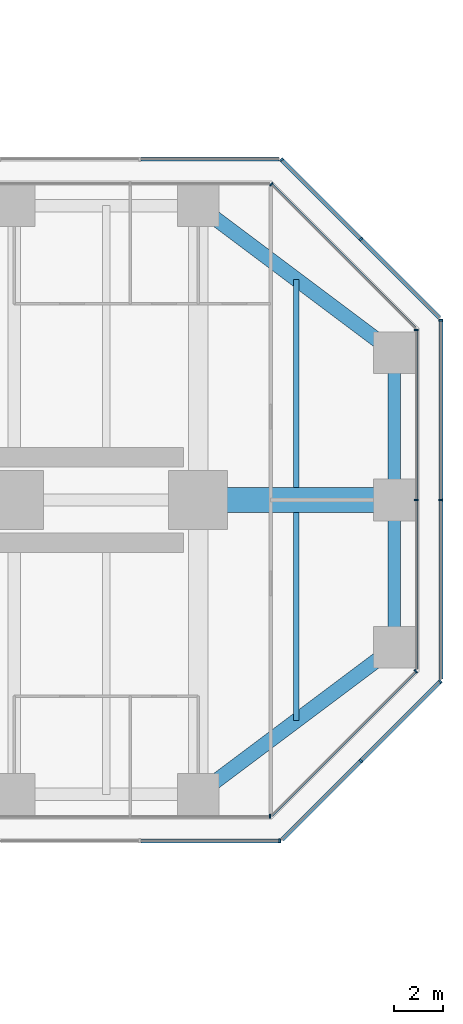
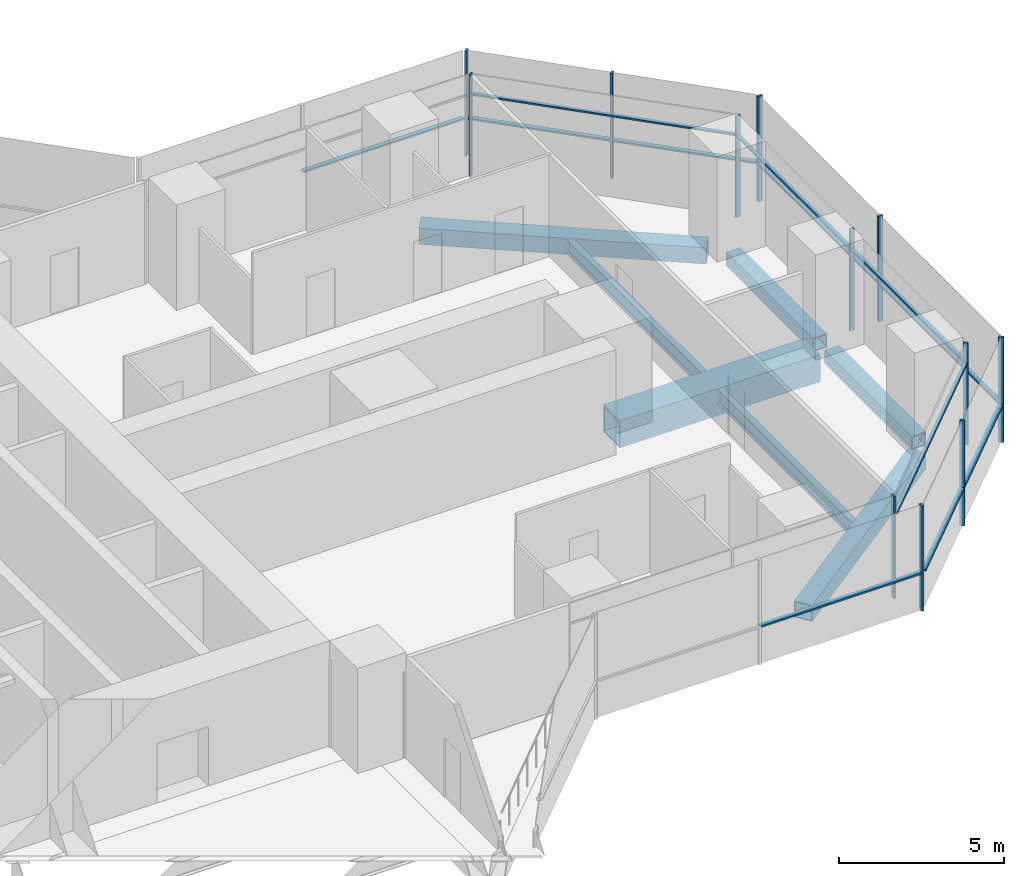
# One storey, part 11 of 20: 24 members, 7 beams, 9 elements without a shape of their own.
"""IFC4 building model written with IfcOpenShell, lengths in metres."""

from ifc_helpers import new_model, si_unit, direction, frame, origin, origin_2d, place, context, subcontext, project, spatial, rectangle, hollow_rectangle, i_section, extrude, material, material_profile, profile_set, type_object, element, aggregate, save


model = new_model("IFC4")

# Units and contexts
model_context = context("Model", 3, precision=1e-05, world=origin(), true_north=direction((0.0, 1.0)))
body_context = subcontext(model_context, "Body", "Model", "MODEL_VIEW")
ifc_project = project(units=[si_unit("LENGTHUNIT", "METRE"), si_unit("AREAUNIT", "SQUARE_METRE"), si_unit("VOLUMEUNIT", "CUBIC_METRE"), si_unit("PLANEANGLEUNIT", "RADIAN"), si_unit("MASSUNIT", "GRAM", prefix="KILO")], contexts=[model_context])

# Site, building, storey
site_placement = place(None, origin())
site = spatial("IfcSite", under=ifc_project, at=site_placement, CompositionType="ELEMENT")
building_placement = place(site_placement, origin())
building = spatial("IfcBuilding", under=site, at=building_placement, Name="Mizan Broadcast Tower", CompositionType="ELEMENT")
storey_placement = place(building_placement, frame((0.0, 0.0, 151.5)))
storey = spatial("IfcBuildingStorey", under=building, at=storey_placement, Name="L34", CompositionType="ELEMENT", Elevation=151.5)

# Beams
ifc_material_1 = material(Name="Steel S355", Category="steel")
ifc_material_profile_1 = material_profile(ifc_material_1, hollow_rectangle(XDim=0.5, YDim=0.5, WallThickness=0.030029296875, at=origin_2d()), Name="BOX 500x500x30")
ifc_profile_set_1 = profile_set([ifc_material_profile_1], Name="Steel S355")
beam_type_1 = type_object("IfcBeamType", Name="EDGE BEAM BOX 500x500x30", PredefinedType="SPANDREL", material=ifc_profile_set_1)
for number, where, z_axis, x_axis, name in (
    (1, (35.0, -5.639892578125, -0.3798828125), (0.0, 1.0, 0.0), (-1.0, 0.0, 0.0), "Edge beam BOX 500x500x30 L34 east arm"),
    (2, (35.0, 5.639892578125, -0.3798828125), (0.0, -1.0, 0.0), (1.0, 0.0, 0.0), "Edge beam BOX 500x500x30 L34 east arm"),
):
    element("IfcBeam", number, at=place(storey_placement, frame(where, z_axis=z_axis, x_axis=x_axis)), inside=storey, type_object=beam_type_1, Name=name, PredefinedType="SPANDREL", context=body_context, shape_type="SweptSolid", body=[
        extrude(hollow_rectangle(XDim=0.5, YDim=0.5, WallThickness=0.030029296875, at=origin_2d()), origin(), (0.0, 0.0, 1.0), 5.27978515625),
    ])
ifc_material_2 = material(Name="Steel S355", Category="steel")
ifc_material_profile_2 = material_profile(ifc_material_2, hollow_rectangle(XDim=0.60009765625, YDim=0.60009765625, WallThickness=0.030029296875, at=origin_2d()), Name="BOX 600x600x30")
ifc_profile_set_2 = profile_set([ifc_material_profile_2], Name="Steel S355")
beam_type_2 = type_object("IfcBeamType", Name="EDGE BEAM BOX 600x600x30", PredefinedType="SPANDREL", material=ifc_profile_set_2)
for number, where, z_axis, x_axis, name in (
    (3, (27.47998046875, -11.639892578125, -0.429931640625), (0.800013316712, 0.599982243973, 0.0), (-0.599982243973, 0.800013316712, 0.0), "Edge beam BOX 600x600x30 L34 east arm"),
    (4, (27.47998046875, 11.639892578125, -0.429931640625), (0.800013316712, -0.599982243973, 0.0), (0.599982243973, 0.800013316712, 0.0), "Edge beam BOX 600x600x30 L34 east arm"),
):
    element("IfcBeam", number, at=place(storey_placement, frame(where, z_axis=z_axis, x_axis=x_axis)), inside=storey, type_object=beam_type_2, Name=name, PredefinedType="SPANDREL", context=body_context, shape_type="SweptSolid", body=[
        extrude(hollow_rectangle(XDim=0.60009765625, YDim=0.60009765625, WallThickness=0.030029296875, at=origin_2d()), origin(), (0.0, 0.0, 1.0), 8.7998046875),
    ])
ifc_material_3 = material(Name="Steel S460", Category="steel")
ifc_material_profile_3 = material_profile(ifc_material_3, hollow_rectangle(XDim=1.0, YDim=1.0, WallThickness=0.06005859375, at=origin_2d()), Name="BOX 1000x1000x60")
ifc_profile_set_3 = profile_set([ifc_material_profile_3], Name="Steel S460")
beam_type_3 = type_object("IfcBeamType", Name="GIRDER BOX 1000x1000x60", PredefinedType="BEAM", material=ifc_profile_set_3)
beam_placement = place(storey_placement, frame((27.47998046875, 0.0, -0.6298828125), z_axis=(1.0, 0.0, 0.0), x_axis=(0.0, 1.0, 0.0)))
element("IfcBeam", 5, at=beam_placement, inside=storey, type_object=beam_type_3, Name="Girder BOX 1000x1000x60 L34 east arm", PredefinedType="BEAM", context=body_context, shape_type="SweptSolid", body=[
    extrude(hollow_rectangle(XDim=1.0, YDim=1.0, WallThickness=0.06005859375, at=origin_2d()), origin(), (0.0, 0.0, 1.0), 7.0400390625),
])

# Curtain wall, member
ifc_material_4 = material(Name="Aluminium framed glazing", Category="aluminium")
curtain_wall_type_1 = type_object("IfcCurtainWallType", Name="INNER SKIN MID ZONE", PredefinedType="USERDEFINED", material=ifc_material_4)
curtain_wall_1_placement = place(storey_placement, origin())
curtain_wall_1 = element("IfcCurtainWall", 6, at=curtain_wall_1_placement, inside=storey, type_object=curtain_wall_type_1, Name="Inner skin mid zone L34 E side", ObjectType="INNER SKIN MID ZONE", PredefinedType="USERDEFINED")
ifc_material_5 = material(Name="Aluminium, pale anodised", Category="aluminium")
ifc_material_profile_4 = material_profile(ifc_material_5, rectangle(XDim=0.159912109375, YDim=0.06005859375, at=origin_2d()), Name="MULLION 160x60")
ifc_profile_set_4 = profile_set([ifc_material_profile_4], Name="Aluminium, pale anodised")
member_type_1 = type_object("IfcMemberType", Name="INNER SKIN MULLION 60x160", PredefinedType="MULLION", material=ifc_profile_set_4)
member_1_placement = place(storey_placement, frame((29.928466796875, -12.89990234375, 0.0), z_axis=(0.0, 0.0, 1.0), x_axis=(0.0, 1.0, 0.0)))
member_1 = element("IfcMember", 7, at=member_1_placement, type_object=member_type_1, Name="Inner skin mid zone L34 E side mullion 3", PredefinedType="MULLION", context=body_context, shape_type="SweptSolid", body=[
    extrude(rectangle(XDim=0.159912109375, YDim=0.06005859375, at=origin_2d()), origin(), (0.0, 0.0, 1.0), 3.77001953125),
])
aggregate(curtain_wall_1, [member_1])

curtain_wall_2_placement = place(storey_placement, origin())
curtain_wall_2 = element("IfcCurtainWall", 8, at=curtain_wall_2_placement, inside=storey, type_object=curtain_wall_type_1, Name="Inner skin mid zone L34 E chamfer", ObjectType="INNER SKIN MID ZONE", PredefinedType="USERDEFINED")
member_2_placement = place(storey_placement, frame((35.87890625, -6.979736328125, 0.0), z_axis=(0.0, 0.0, 1.0), x_axis=(-0.707106781187, 0.707106781187, 0.0)))
member_2 = element("IfcMember", 9, at=member_2_placement, type_object=member_type_1, Name="Inner skin mid zone L34 E chamfer mullion 2", PredefinedType="MULLION", context=body_context, shape_type="SweptSolid", body=[
    extrude(rectangle(XDim=0.159912109375, YDim=0.06005859375, at=origin_2d()), origin(), (0.0, 0.0, 1.0), 3.77001953125),
])

# Curtain wall, members
curtain_wall_3_placement = place(storey_placement, origin())
curtain_wall_3 = element("IfcCurtainWall", 10, at=curtain_wall_3_placement, inside=storey, type_object=curtain_wall_type_1, Name="Inner skin mid zone L34 E end", ObjectType="INNER SKIN MID ZONE", PredefinedType="USERDEFINED")
member_3_placement = place(storey_placement, frame((35.89990234375, 0.0, 0.0), z_axis=(0.0, 0.0, 1.0), x_axis=(-1.0, 0.0, 0.0)))
member_3 = element("IfcMember", 11, at=member_3_placement, type_object=member_type_1, Name="Inner skin mid zone L34 E end mullion 2", PredefinedType="MULLION", context=body_context, shape_type="SweptSolid", body=[
    extrude(rectangle(XDim=0.159912109375, YDim=0.06005859375, at=origin_2d()), origin(), (0.0, 0.0, 1.0), 3.77001953125),
])
member_4_placement = place(storey_placement, frame((35.89990234375, 6.928466796875, 0.0), z_axis=(0.0, 0.0, 1.0), x_axis=(-1.0, 0.0, 0.0)))
member_4 = element("IfcMember", 12, at=member_4_placement, type_object=member_type_1, Name="Inner skin mid zone L34 E end mullion 3", PredefinedType="MULLION", context=body_context, shape_type="SweptSolid", body=[
    extrude(rectangle(XDim=0.159912109375, YDim=0.06005859375, at=origin_2d()), origin(), (0.0, 0.0, 1.0), 3.77001953125),
])

# Curtain wall, member
curtain_wall_4_placement = place(storey_placement, origin())
curtain_wall_4 = element("IfcCurtainWall", 13, at=curtain_wall_4_placement, inside=storey, type_object=curtain_wall_type_1, Name="Inner skin mid zone L34 E chamfer", ObjectType="INNER SKIN MID ZONE", PredefinedType="USERDEFINED")
member_5_placement = place(storey_placement, frame((29.979736328125, 12.87890625, 0.0), z_axis=(0.0, 0.0, 1.0), x_axis=(-0.707106781187, -0.707106781187, 0.0)))
member_5 = element("IfcMember", 14, at=member_5_placement, type_object=member_type_1, Name="Inner skin mid zone L34 E chamfer mullion 2", PredefinedType="MULLION", context=body_context, shape_type="SweptSolid", body=[
    extrude(rectangle(XDim=0.159912109375, YDim=0.06005859375, at=origin_2d()), origin(), (0.0, 0.0, 1.0), 3.77001953125),
])

# Member
ifc_material_6 = material(Name="Aluminium, pale anodised", Category="aluminium")
ifc_material_profile_5 = material_profile(ifc_material_6, rectangle(XDim=0.1201171875, YDim=0.06005859375, at=origin_2d()), Name="TRANSOM 120x60")
ifc_profile_set_5 = profile_set([ifc_material_profile_5], Name="Aluminium, pale anodised")
member_type_2 = type_object("IfcMemberType", Name="INNER SKIN TRANSOM 60x120", PredefinedType="USERDEFINED", material=ifc_profile_set_5)
member_6_placement = place(storey_placement, frame((30.0009765625, -12.857666015625, 3.030029296875), z_axis=(0.707106781187, 0.707106781187, 0.0), x_axis=(-0.707106781187, 0.707106781187, 0.0)))
member_6 = element("IfcMember", 15, at=member_6_placement, type_object=member_type_2, Name="Inner skin mid zone L34 E chamfer transom 1.1", ObjectType="TRANSOM", PredefinedType="USERDEFINED", context=body_context, shape_type="SweptSolid", body=[
    extrude(rectangle(XDim=0.1201171875, YDim=0.06005859375, at=origin_2d()), origin(), (0.0, 0.0, 1.0), 8.28271484375),
])

aggregate(curtain_wall_2, [member_2, member_6])

member_7_placement = place(storey_placement, frame((35.89990234375, -6.898681640625, 3.030029296875), z_axis=(0.0, 1.0, 0.0), x_axis=(-1.0, 0.0, 0.0)))
member_7 = element("IfcMember", 16, at=member_7_placement, type_object=member_type_2, Name="Inner skin mid zone L34 E end transom 1.1", ObjectType="TRANSOM", PredefinedType="USERDEFINED", context=body_context, shape_type="SweptSolid", body=[
    extrude(rectangle(XDim=0.1201171875, YDim=0.06005859375, at=origin_2d()), origin(), (0.0, 0.0, 1.0), 6.86865234375),
])

member_8_placement = place(storey_placement, frame((35.89990234375, 0.030029296875, 3.030029296875), z_axis=(0.0, 1.0, 0.0), x_axis=(-1.0, 0.0, 0.0)))
member_8 = element("IfcMember", 17, at=member_8_placement, type_object=member_type_2, Name="Inner skin mid zone L34 E end transom 2.1", ObjectType="TRANSOM", PredefinedType="USERDEFINED", context=body_context, shape_type="SweptSolid", body=[
    extrude(rectangle(XDim=0.1201171875, YDim=0.06005859375, at=origin_2d()), origin(), (0.0, 0.0, 1.0), 6.86865234375),
])

aggregate(curtain_wall_3, [member_3, member_4, member_7, member_8])

member_9_placement = place(storey_placement, frame((35.857666015625, 7.0009765625, 3.030029296875), z_axis=(-0.707106781187, 0.707106781187, 0.0), x_axis=(-0.707106781187, -0.707106781187, 0.0)))
member_9 = element("IfcMember", 18, at=member_9_placement, type_object=member_type_2, Name="Inner skin mid zone L34 E chamfer transom 1.1", ObjectType="TRANSOM", PredefinedType="USERDEFINED", context=body_context, shape_type="SweptSolid", body=[
    extrude(rectangle(XDim=0.1201171875, YDim=0.06005859375, at=origin_2d()), origin(), (0.0, 0.0, 1.0), 8.28271484375),
])

aggregate(curtain_wall_4, [member_5, member_9])

# Curtain wall, members
ifc_material_7 = material(Name="Aluminium framed glazing", Category="aluminium")
curtain_wall_type_2 = type_object("IfcCurtainWallType", Name="OUTER SKIN", PredefinedType="USERDEFINED", material=ifc_material_7)
curtain_wall_5_placement = place(storey_placement, origin())
curtain_wall_5 = element("IfcCurtainWall", 19, at=curtain_wall_5_placement, inside=storey, type_object=curtain_wall_type_2, Name="Outer skin L34 E chamfer", ObjectType="OUTER SKIN", PredefinedType="USERDEFINED")
ifc_material_8 = material(Name="Aluminium, pale anodised", Category="aluminium")
ifc_material_profile_6 = material_profile(ifc_material_8, rectangle(XDim=0.159912109375, YDim=0.080078125, at=origin_2d()), Name="MULLION 160x80")
ifc_profile_set_6 = profile_set([ifc_material_profile_6], Name="Aluminium, pale anodised")
member_type_3 = type_object("IfcMemberType", Name="OUTER SKIN MULLION 80x160", PredefinedType="MULLION", material=ifc_profile_set_6)
member_10_placement = place(storey_placement, frame((33.636474609375, -10.636474609375, 0.0), z_axis=(0.0, 0.0, 1.0), x_axis=(-0.707106781187, 0.707106781187, 0.0)))
member_10 = element("IfcMember", 20, at=member_10_placement, type_object=member_type_3, Name="Outer skin L34 E chamfer mullion 2", PredefinedType="MULLION", context=body_context, shape_type="SweptSolid", body=[
    extrude(rectangle(XDim=0.159912109375, YDim=0.080078125, at=origin_2d()), origin(), (0.0, 0.0, 1.0), 3.89990234375),
])
member_11_placement = place(storey_placement, frame((36.871826171875, -7.401123046875, 0.0), z_axis=(0.0, 0.0, 1.0), x_axis=(-0.707106781187, 0.707106781187, 0.0)))
member_11 = element("IfcMember", 21, at=member_11_placement, type_object=member_type_3, Name="Outer skin L34 E chamfer mullion 3", PredefinedType="MULLION", context=body_context, shape_type="SweptSolid", body=[
    extrude(rectangle(XDim=0.159912109375, YDim=0.080078125, at=origin_2d()), origin(), (0.0, 0.0, 1.0), 3.89990234375),
])

curtain_wall_6_placement = place(storey_placement, origin())
curtain_wall_6 = element("IfcCurtainWall", 22, at=curtain_wall_6_placement, inside=storey, type_object=curtain_wall_type_2, Name="Outer skin L34 E end", ObjectType="OUTER SKIN", PredefinedType="USERDEFINED")
member_12_placement = place(storey_placement, frame((36.89990234375, 0.0, 0.0), z_axis=(0.0, 0.0, 1.0), x_axis=(-1.0, 0.0, 0.0)))
member_12 = element("IfcMember", 23, at=member_12_placement, type_object=member_type_3, Name="Outer skin L34 E end mullion 2", PredefinedType="MULLION", context=body_context, shape_type="SweptSolid", body=[
    extrude(rectangle(XDim=0.159912109375, YDim=0.080078125, at=origin_2d()), origin(), (0.0, 0.0, 1.0), 3.89990234375),
])
member_13_placement = place(storey_placement, frame((36.89990234375, 7.332763671875, 0.0), z_axis=(0.0, 0.0, 1.0), x_axis=(-1.0, 0.0, 0.0)))
member_13 = element("IfcMember", 24, at=member_13_placement, type_object=member_type_3, Name="Outer skin L34 E end mullion 3", PredefinedType="MULLION", context=body_context, shape_type="SweptSolid", body=[
    extrude(rectangle(XDim=0.159912109375, YDim=0.080078125, at=origin_2d()), origin(), (0.0, 0.0, 1.0), 3.89990234375),
])

curtain_wall_7_placement = place(storey_placement, origin())
curtain_wall_7 = element("IfcCurtainWall", 25, at=curtain_wall_7_placement, inside=storey, type_object=curtain_wall_type_2, Name="Outer skin L34 E chamfer", ObjectType="OUTER SKIN", PredefinedType="USERDEFINED")
member_14_placement = place(storey_placement, frame((33.636474609375, 10.636474609375, 0.0), z_axis=(0.0, 0.0, 1.0), x_axis=(-0.707106781187, -0.707106781187, 0.0)))
member_14 = element("IfcMember", 26, at=member_14_placement, type_object=member_type_3, Name="Outer skin L34 E chamfer mullion 2", PredefinedType="MULLION", context=body_context, shape_type="SweptSolid", body=[
    extrude(rectangle(XDim=0.159912109375, YDim=0.080078125, at=origin_2d()), origin(), (0.0, 0.0, 1.0), 3.89990234375),
])
member_15_placement = place(storey_placement, frame((30.401123046875, 13.871826171875, 0.0), z_axis=(0.0, 0.0, 1.0), x_axis=(-0.707106781187, -0.707106781187, 0.0)))
member_15 = element("IfcMember", 27, at=member_15_placement, type_object=member_type_3, Name="Outer skin L34 E chamfer mullion 3", PredefinedType="MULLION", context=body_context, shape_type="SweptSolid", body=[
    extrude(rectangle(XDim=0.159912109375, YDim=0.080078125, at=origin_2d()), origin(), (0.0, 0.0, 1.0), 3.89990234375),
])

# Curtain wall, member
curtain_wall_8_placement = place(storey_placement, origin())
curtain_wall_8 = element("IfcCurtainWall", 28, at=curtain_wall_8_placement, inside=storey, type_object=curtain_wall_type_2, Name="Outer skin L34 E side", ObjectType="OUTER SKIN", PredefinedType="USERDEFINED")
member_16_placement = place(storey_placement, frame((30.332763671875, -13.89990234375, 0.0), z_axis=(0.0, 0.0, 1.0), x_axis=(0.0, 1.0, 0.0)))
member_16 = element("IfcMember", 29, at=member_16_placement, type_object=member_type_3, Name="Outer skin L34 E side mullion 3", PredefinedType="MULLION", context=body_context, shape_type="SweptSolid", body=[
    extrude(rectangle(XDim=0.159912109375, YDim=0.080078125, at=origin_2d()), origin(), (0.0, 0.0, 1.0), 3.89990234375),
])

# Member
ifc_material_9 = material(Name="Aluminium, pale anodised", Category="aluminium")
ifc_material_profile_7 = material_profile(ifc_material_9, rectangle(XDim=0.159912109375, YDim=0.06005859375, at=origin_2d()), Name="TRANSOM 160x60")
ifc_profile_set_7 = profile_set([ifc_material_profile_7], Name="Aluminium, pale anodised")
member_type_4 = type_object("IfcMemberType", Name="OUTER SKIN TRANSOM 60x160", PredefinedType="USERDEFINED", material=ifc_profile_set_7)
member_17_placement = place(storey_placement, frame((30.429443359375, -13.843505859375, 1.39990234375), z_axis=(0.707106781187, 0.707106781187, 0.0), x_axis=(-0.707106781187, 0.707106781187, 0.0)))
member_17 = element("IfcMember", 30, at=member_17_placement, type_object=member_type_4, Name="Outer skin L34 E chamfer transom 1.1", ObjectType="TRANSOM", PredefinedType="USERDEFINED", context=body_context, shape_type="SweptSolid", body=[
    extrude(rectangle(XDim=0.159912109375, YDim=0.06005859375, at=origin_2d()), origin(), (0.0, 0.0, 1.0), 4.495361328125),
])

member_18_placement = place(storey_placement, frame((33.664794921875, -10.608154296875, 1.39990234375), z_axis=(0.707106781187, 0.707106781187, 0.0), x_axis=(-0.707106781187, 0.707106781187, 0.0)))
member_18 = element("IfcMember", 31, at=member_18_placement, type_object=member_type_4, Name="Outer skin L34 E chamfer transom 2.1", ObjectType="TRANSOM", PredefinedType="USERDEFINED", context=body_context, shape_type="SweptSolid", body=[
    extrude(rectangle(XDim=0.159912109375, YDim=0.06005859375, at=origin_2d()), origin(), (0.0, 0.0, 1.0), 4.495361328125),
])

aggregate(curtain_wall_5, [member_10, member_11, member_17, member_18])

member_19_placement = place(storey_placement, frame((36.89990234375, -7.292724609375, 1.39990234375), z_axis=(0.0, 1.0, 0.0), x_axis=(-1.0, 0.0, 0.0)))
member_19 = element("IfcMember", 32, at=member_19_placement, type_object=member_type_4, Name="Outer skin L34 E end transom 1.1", ObjectType="TRANSOM", PredefinedType="USERDEFINED", context=body_context, shape_type="SweptSolid", body=[
    extrude(rectangle(XDim=0.159912109375, YDim=0.06005859375, at=origin_2d()), origin(), (0.0, 0.0, 1.0), 7.252685546875),
])

member_20_placement = place(storey_placement, frame((36.89990234375, 0.0400390625, 1.39990234375), z_axis=(0.0, 1.0, 0.0), x_axis=(-1.0, 0.0, 0.0)))
member_20 = element("IfcMember", 33, at=member_20_placement, type_object=member_type_4, Name="Outer skin L34 E end transom 2.1", ObjectType="TRANSOM", PredefinedType="USERDEFINED", context=body_context, shape_type="SweptSolid", body=[
    extrude(rectangle(XDim=0.159912109375, YDim=0.06005859375, at=origin_2d()), origin(), (0.0, 0.0, 1.0), 7.252685546875),
])

aggregate(curtain_wall_6, [member_12, member_13, member_19, member_20])

member_21_placement = place(storey_placement, frame((36.843505859375, 7.429443359375, 1.39990234375), z_axis=(-0.707106781187, 0.707106781187, 0.0), x_axis=(-0.707106781187, -0.707106781187, 0.0)))
member_21 = element("IfcMember", 34, at=member_21_placement, type_object=member_type_4, Name="Outer skin L34 E chamfer transom 1.1", ObjectType="TRANSOM", PredefinedType="USERDEFINED", context=body_context, shape_type="SweptSolid", body=[
    extrude(rectangle(XDim=0.159912109375, YDim=0.06005859375, at=origin_2d()), origin(), (0.0, 0.0, 1.0), 4.495361328125),
])

member_22_placement = place(storey_placement, frame((33.608154296875, 10.664794921875, 1.39990234375), z_axis=(-0.707106781187, 0.707106781187, 0.0), x_axis=(-0.707106781187, -0.707106781187, 0.0)))
member_22 = element("IfcMember", 35, at=member_22_placement, type_object=member_type_4, Name="Outer skin L34 E chamfer transom 2.1", ObjectType="TRANSOM", PredefinedType="USERDEFINED", context=body_context, shape_type="SweptSolid", body=[
    extrude(rectangle(XDim=0.159912109375, YDim=0.06005859375, at=origin_2d()), origin(), (0.0, 0.0, 1.0), 4.495361328125),
])

aggregate(curtain_wall_7, [member_14, member_15, member_21, member_22])

# Curtain wall, member
curtain_wall_9_placement = place(storey_placement, origin())
curtain_wall_9 = element("IfcCurtainWall", 36, at=curtain_wall_9_placement, inside=storey, type_object=curtain_wall_type_2, Name="Outer skin L34 E side", ObjectType="OUTER SKIN", PredefinedType="USERDEFINED")
member_23_placement = place(storey_placement, frame((30.292724609375, 13.89990234375, 1.39990234375), z_axis=(-1.0, 0.0, 0.0), x_axis=(0.0, -1.0, 0.0)))
member_23 = element("IfcMember", 37, at=member_23_placement, type_object=member_type_4, Name="Outer skin L34 E side transom 1.1", ObjectType="TRANSOM", PredefinedType="USERDEFINED", context=body_context, shape_type="SweptSolid", body=[
    extrude(rectangle(XDim=0.159912109375, YDim=0.06005859375, at=origin_2d()), origin(), (0.0, 0.0, 1.0), 5.6298828125),
])
aggregate(curtain_wall_9, [member_23])

# Member
member_24_placement = place(storey_placement, frame((24.662841796875, -13.89990234375, 1.39990234375), z_axis=(1.0, 0.0, 0.0), x_axis=(0.0, 1.0, 0.0)))
member_24 = element("IfcMember", 38, at=member_24_placement, type_object=member_type_4, Name="Outer skin L34 E side transom 2.1", ObjectType="TRANSOM", PredefinedType="USERDEFINED", context=body_context, shape_type="SweptSolid", body=[
    extrude(rectangle(XDim=0.159912109375, YDim=0.06005859375, at=origin_2d()), origin(), (0.0, 0.0, 1.0), 5.6298828125),
])

aggregate(curtain_wall_8, [member_16, member_24])

# Beams
ifc_material_10 = material(Name="Steel S355", Category="steel")
ifc_material_profile_8 = material_profile(ifc_material_10, i_section(OverallWidth=0.2099609375, OverallDepth=0.550048828125, WebThickness=0.010986328125, FlangeThickness=0.01708984375, FilletRadius=0.02392578125, at=origin_2d()), Name="IPE 550")
ifc_profile_set_8 = profile_set([ifc_material_profile_8], Name="Steel S355")
beam_type_4 = type_object("IfcBeamType", Name="SECONDARY BEAM IPE 550", PredefinedType="JOIST", material=ifc_profile_set_8)
for number, where, z_axis, x_axis, name in (
    (39, (31.0, -9.0, -0.405029296875), (0.0, 1.0, 0.0), (-1.0, 0.0, 0.0), "Secondary beam IPE 550 L34 east arm"),
    (40, (31.0, 9.0, -0.405029296875), (0.0, -1.0, 0.0), (1.0, 0.0, 0.0), "Secondary beam IPE 550 L34 east arm"),
):
    element("IfcBeam", number, at=place(storey_placement, frame(where, z_axis=z_axis, x_axis=x_axis)), inside=storey, type_object=beam_type_4, Name=name, PredefinedType="JOIST", context=body_context, shape_type="SweptSolid", body=[
        extrude(i_section(OverallWidth=0.2099609375, OverallDepth=0.550048828125, WebThickness=0.010986328125, FlangeThickness=0.01708984375, FilletRadius=0.02392578125, at=origin_2d()), origin(), (0.0, 0.0, 1.0), 8.5),
    ])

save(model, "model.ifc")
